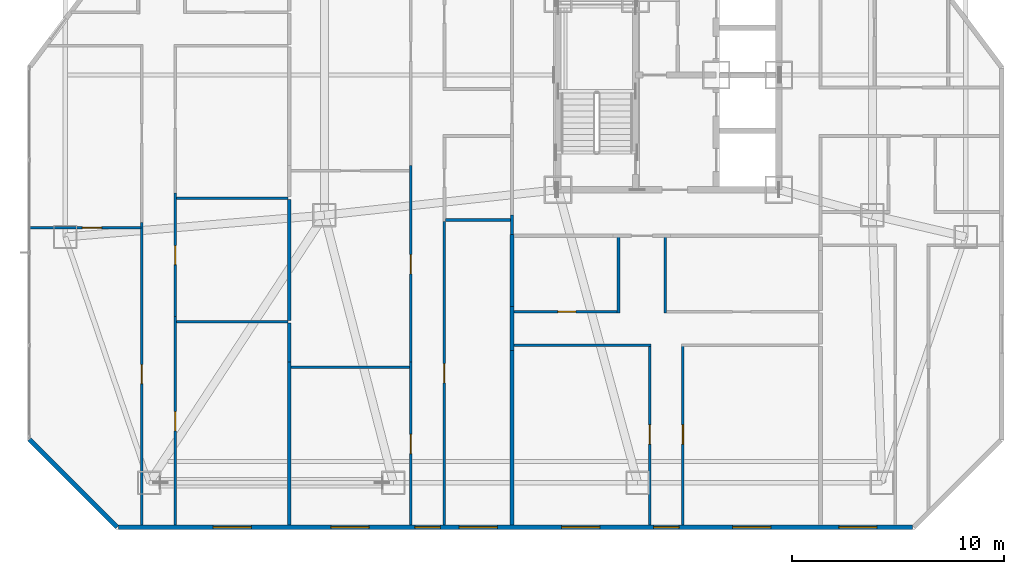
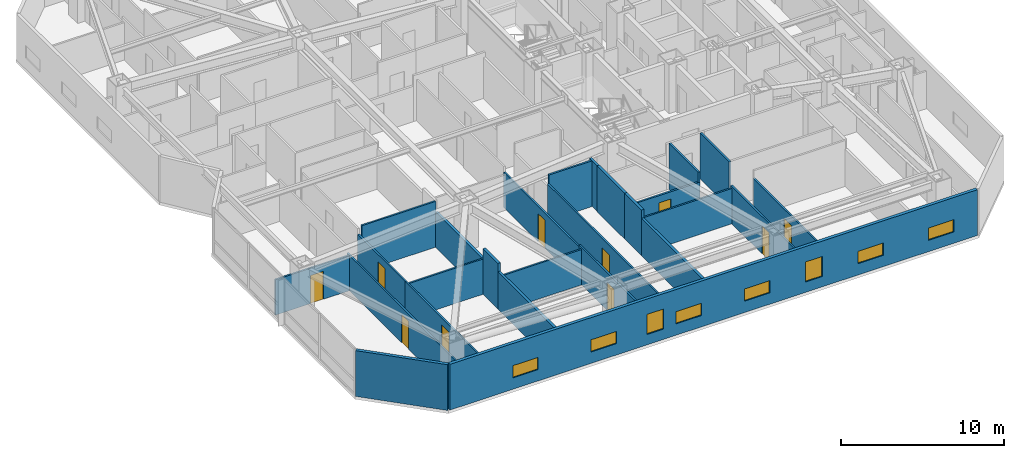
# One storey, part 11 of 18: 26 walls, 10 doors, 8 windows, 18 openings.
"""IFC4 building model written with IfcOpenShell, lengths in metres."""

from ifc_helpers import new_model, si_unit, direction, frame, frame_2d, origin, place, context, subcontext, project, spatial, rectangle, extrude, material, layer, layer_set, type_object, element, fill, save


model = new_model("IFC4")

# Units and contexts
model_context = context("Model", 3, precision=1e-05, world=origin(), true_north=direction((0.0, 1.0)))
body_context = subcontext(model_context, "Body", "Model", "MODEL_VIEW")
ifc_project = project(units=[si_unit("LENGTHUNIT", "METRE"), si_unit("AREAUNIT", "SQUARE_METRE"), si_unit("VOLUMEUNIT", "CUBIC_METRE"), si_unit("PLANEANGLEUNIT", "RADIAN"), si_unit("MASSUNIT", "GRAM", prefix="KILO")], contexts=[model_context])

# Site, building, storey
site_placement = place(None, origin())
site = spatial("IfcSite", under=ifc_project, at=site_placement, CompositionType="ELEMENT")
building_placement = place(site_placement, origin())
building = spatial("IfcBuilding", under=site, at=building_placement, Name="Khamvora Tower", CompositionType="ELEMENT")
storey_placement = place(building_placement, frame((0.0, 0.0, 47.89990234375)))
storey = spatial("IfcBuildingStorey", under=building, at=storey_placement, Name="L11", CompositionType="ELEMENT", Elevation=47.89990234375)

# Walls
ifc_material_1 = material(Name="Fire-Rated Drywall and Steel Stud", Category="steel")
ifc_layer_1 = layer(ifc_material_1, 0.14990234375)
ifc_layer_set_1 = layer_set([ifc_layer_1], Name="Fire-Rated Drywall and Steel Stud")
wall_type_1 = type_object("IfcWallType", Name="WAL-CORR-150", PredefinedType="STANDARD", material=ifc_layer_set_1)
wall_1_placement = place(storey_placement, frame((26.8349609375, 16.89990234375, 0.0), z_axis=(0.0, 0.0, 1.0), x_axis=(0.0, 1.0, 0.0)))
element("IfcWall", 1, at=wall_1_placement, inside=storey, type_object=wall_type_1, Name="L11 interior partition wall 009", PredefinedType="STANDARD", context=body_context, shape_type="SweptSolid", body=[
    extrude(rectangle(XDim=0.918212890625, YDim=0.14990234375, at=frame_2d((0.458984375, 0.0))), origin(), (0.0, 0.0, 1.0), 3.43017578125),
])
ifc_material_2 = material(Name="Acoustic Double-Stud Fire Wall", Category="gypsum")
ifc_layer_2 = layer(ifc_material_2, 0.179931640625)
ifc_layer_set_2 = layer_set([ifc_layer_2], Name="Acoustic Double-Stud Fire Wall")
wall_type_2 = type_object("IfcWallType", Name="WAL-CORR-180", PredefinedType="STANDARD", material=ifc_layer_set_2)
wall_2_placement = place(storey_placement, frame((16.345947265625, 10.882080078125, 0.0), z_axis=(0.0, 0.0, 1.0), x_axis=(0.0, -1.0, 0.0)))
element("IfcWall", 2, at=wall_2_placement, inside=storey, type_object=wall_type_2, Name="L11 interior partition wall 057", PredefinedType="STANDARD", context=body_context, shape_type="SweptSolid", body=[
    extrude(rectangle(XDim=7.670166015625, YDim=0.179931640625, at=frame_2d((3.8349609375, 0.0))), origin(), (0.0, 0.0, 1.0), 2.802978515625),
])
wall_3_placement = place(storey_placement, frame((16.345947265625, 12.714111328125, 0.0), z_axis=(0.0, 0.0, 1.0), x_axis=(0.0, -1.0, 0.0)))
element("IfcWall", 3, at=wall_3_placement, inside=storey, type_object=wall_type_2, Name="L11 interior partition wall 058", PredefinedType="STANDARD", context=body_context, shape_type="SweptSolid", body=[
    extrude(rectangle(XDim=1.83203125, YDim=0.179931640625, at=frame_2d((0.916015625, 0.0))), origin(), (0.0, 0.0, 1.0), 3.43017578125),
])
wall_4_placement = place(storey_placement, frame((16.345947265625, 18.5390625, 0.0), z_axis=(0.0, 0.0, 1.0), x_axis=(0.0, -1.0, 0.0)))
element("IfcWall", 4, at=wall_4_placement, inside=storey, type_object=wall_type_2, Name="L11 interior partition wall 060", PredefinedType="STANDARD", context=body_context, shape_type="SweptSolid", body=[
    extrude(rectangle(XDim=5.695068359375, YDim=0.179931640625, at=frame_2d((2.84765625, 0.0))), origin(), (0.0, 0.0, 1.0), 2.647216796875),
])
wall_5_placement = place(storey_placement, frame((26.8349609375, 13.50390625, 0.0), z_axis=(0.0, 0.0, 1.0), x_axis=(0.0, -1.0, 0.0)))
element("IfcWall", 5, at=wall_5_placement, inside=storey, type_object=wall_type_2, Name="L11 interior partition wall 065", PredefinedType="STANDARD", context=body_context, shape_type="SweptSolid", body=[
    extrude(rectangle(XDim=2.077880859375, YDim=0.179931640625, at=frame_2d((1.0390625, 0.0))), origin(), (0.0, 0.0, 1.0), 3.43017578125),
])
wall_6_placement = place(storey_placement, frame((26.8349609375, 16.89990234375, 0.0), z_axis=(0.0, 0.0, 1.0), x_axis=(0.0, -1.0, 0.0)))
element("IfcWall", 6, at=wall_6_placement, inside=storey, type_object=wall_type_2, Name="L11 interior partition wall 066", PredefinedType="STANDARD", context=body_context, shape_type="SweptSolid", body=[
    extrude(rectangle(XDim=3.39599609375, YDim=0.179931640625, at=frame_2d((1.697998046875, 0.0))), origin(), (0.0, 0.0, 1.0), 3.43017578125),
])
wall_7_placement = place(storey_placement, frame((26.8349609375, 11.426025390625, 0.0), z_axis=(0.0, 0.0, 1.0), x_axis=(0.0, -1.0, 0.0)))
element("IfcWall", 7, at=wall_7_placement, inside=storey, type_object=wall_type_2, Name="L11 interior partition wall 067", PredefinedType="STANDARD", context=body_context, shape_type="SweptSolid", body=[
    extrude(rectangle(XDim=8.214111328125, YDim=0.179931640625, at=frame_2d((4.10693359375, 0.0))), origin(), (0.0, 0.0, 1.0), 2.802978515625),
])
ifc_material_3 = material(Name="Precast concrete C40/50", Category="concrete")
ifc_layer_3 = layer(ifc_material_3, 0.219970703125)
ifc_layer_set_3 = layer_set([ifc_layer_3], Name="Precast concrete C40/50")
wall_type_3 = type_object("IfcWallType", Name="WAL-EXT-220", PredefinedType="STANDARD", material=ifc_layer_set_3)
wall_8_placement = place(storey_placement, frame((8.24609375, 3.110107421875, 0.0), z_axis=(0.0, 0.0, 1.0), x_axis=(-0.707106781187, 0.707106781187, 0.0)))
element("IfcWall", 8, at=wall_8_placement, inside=storey, type_object=wall_type_3, Name="L11 exterior facade wall 01.1", PredefinedType="STANDARD", context=body_context, shape_type="SweptSolid", body=[
    extrude(rectangle(XDim=5.84912109375, YDim=0.219970703125, at=frame_2d((2.924560546875, 0.0))), origin(), (0.0, 0.0, 1.0), 3.43017578125),
])

# Wall, openings, windows
wall_9_placement = place(storey_placement, frame((45.68310546875, 3.110107421875, 0.0), z_axis=(0.0, 0.0, 1.0), x_axis=(-1.0, 0.0, 0.0)))
wall_9 = element("IfcWall", 9, at=wall_9_placement, inside=storey, type_object=wall_type_3, Name="L11 exterior facade wall 14.1", PredefinedType="STANDARD", context=body_context, shape_type="SweptSolid", body=[
    extrude(rectangle(XDim=37.3681640625, YDim=0.219970703125, at=frame_2d((18.68408203125, 0.0))), origin(), (0.0, 0.0, 1.0), 3.43017578125),
])
opening_1_placement = place(wall_9_placement, frame((31.118896484375, 0.0, 0.85009765625)))
opening_1 = element("IfcOpeningElement", 10, at=opening_1_placement, cuts=wall_9, Name="Opening WN-09", PredefinedType="OPENING", context=body_context, shape_type="SweptSolid", body=[
    extrude(rectangle(XDim=1.800048828125, YDim=0.919921875, at=frame_2d((0.89990234375, 0.4599609375))), frame((0.0, 0.119873046875, 0.0), z_axis=(0.0, -1.0, 0.0), x_axis=(1.0, 0.0, 0.0)), (0.0, 0.0, 1.0), 0.239990234375),
])
opening_2_placement = place(wall_9_placement, frame((19.5400390625, 0.0, 0.85009765625)))
opening_2 = element("IfcOpeningElement", 11, at=opening_2_placement, cuts=wall_9, Name="Opening WN-09", PredefinedType="OPENING", context=body_context, shape_type="SweptSolid", body=[
    extrude(rectangle(XDim=1.800048828125, YDim=0.919921875, at=frame_2d((0.89990234375, 0.4599609375))), frame((0.0, 0.119873046875, 0.0), z_axis=(0.0, -1.0, 0.0), x_axis=(1.0, 0.0, 0.0)), (0.0, 0.0, 1.0), 0.239990234375),
])
opening_3_placement = place(wall_9_placement, frame((22.222900390625, 0.0, 0.780029296875)))
opening_3 = element("IfcOpeningElement", 12, at=opening_3_placement, cuts=wall_9, Name="Opening WN-03", PredefinedType="OPENING", context=body_context, shape_type="SweptSolid", body=[
    extrude(rectangle(XDim=1.199951171875, YDim=1.5, at=frame_2d((0.60009765625, 0.75))), frame((0.0, 0.119873046875, 0.0), z_axis=(0.0, -1.0, 0.0), x_axis=(1.0, 0.0, 0.0)), (0.0, 0.0, 1.0), 0.239990234375),
])
opening_4_placement = place(wall_9_placement, frame((25.574951171875, 0.0, 0.85009765625)))
opening_4 = element("IfcOpeningElement", 13, at=opening_4_placement, cuts=wall_9, Name="Opening WN-09", PredefinedType="OPENING", context=body_context, shape_type="SweptSolid", body=[
    extrude(rectangle(XDim=1.800048828125, YDim=0.919921875, at=frame_2d((0.89990234375, 0.4599609375))), frame((0.0, 0.119873046875, 0.0), z_axis=(0.0, -1.0, 0.0), x_axis=(1.0, 0.0, 0.0)), (0.0, 0.0, 1.0), 0.239990234375),
])
opening_5_placement = place(wall_9_placement, frame((10.98291015625, 0.0, 0.780029296875)))
opening_5 = element("IfcOpeningElement", 14, at=opening_5_placement, cuts=wall_9, Name="Opening WN-03", PredefinedType="OPENING", context=body_context, shape_type="SweptSolid", body=[
    extrude(rectangle(XDim=1.199951171875, YDim=1.5, at=frame_2d((0.60009765625, 0.75))), frame((0.0, 0.119873046875, 0.0), z_axis=(0.0, -1.0, 0.0), x_axis=(1.0, 0.0, 0.0)), (0.0, 0.0, 1.0), 0.239990234375),
])
opening_6_placement = place(wall_9_placement, frame((14.7080078125, 0.0, 0.85009765625)))
opening_6 = element("IfcOpeningElement", 15, at=opening_6_placement, cuts=wall_9, Name="Opening WN-09", PredefinedType="OPENING", context=body_context, shape_type="SweptSolid", body=[
    extrude(rectangle(XDim=1.800048828125, YDim=0.919921875, at=frame_2d((0.89990234375, 0.4599609375))), frame((0.0, 0.119873046875, 0.0), z_axis=(0.0, -1.0, 0.0), x_axis=(1.0, 0.0, 0.0)), (0.0, 0.0, 1.0), 0.239990234375),
])
opening_7_placement = place(wall_9_placement, frame((6.657958984375, 0.0, 0.85009765625)))
opening_7 = element("IfcOpeningElement", 16, at=opening_7_placement, cuts=wall_9, Name="Opening WN-09", PredefinedType="OPENING", context=body_context, shape_type="SweptSolid", body=[
    extrude(rectangle(XDim=1.800048828125, YDim=0.919921875, at=frame_2d((0.89990234375, 0.4599609375))), frame((0.0, 0.119873046875, 0.0), z_axis=(0.0, -1.0, 0.0), x_axis=(1.0, 0.0, 0.0)), (0.0, 0.0, 1.0), 0.239990234375),
])
opening_8_placement = place(wall_9_placement, frame((1.6630859375, 0.0, 0.85009765625)))
opening_8 = element("IfcOpeningElement", 17, at=opening_8_placement, cuts=wall_9, Name="Opening WN-09", PredefinedType="OPENING", context=body_context, shape_type="SweptSolid", body=[
    extrude(rectangle(XDim=1.800048828125, YDim=0.919921875, at=frame_2d((0.89990234375, 0.4599609375))), frame((0.0, 0.119873046875, 0.0), z_axis=(0.0, -1.0, 0.0), x_axis=(1.0, 0.0, 0.0)), (0.0, 0.0, 1.0), 0.239990234375),
])
ifc_material_4 = material(Name="Low-E Laminated Double Glazing", Category="glass")
window_type_1 = type_object("IfcWindowType", Name="WIN-CLR-1800x920", PartitioningType="SINGLE_PANEL", PredefinedType="WINDOW", material=ifc_material_4)
window_1_placement = place(opening_1_placement, origin())
window_1 = element("IfcWindow", 18, at=window_1_placement, inside=storey, type_object=window_type_1, Name="L11 vision window 14.1.01", OverallHeight=0.919921875, OverallWidth=1.800048828125, PartitioningType="SINGLE_PANEL", PredefinedType="WINDOW", context=body_context, shape_type="SweptSolid", body=[
    extrude(rectangle(XDim=1.800048828125, YDim=0.919921875, at=frame_2d((0.89990234375, 0.4599609375))), frame((0.0, 0.030029296875, 0.0), z_axis=(0.0, -1.0, 0.0), x_axis=(1.0, 0.0, 0.0)), (0.0, 0.0, 1.0), 0.06005859375),
])
fill(opening_1, window_1)
window_2_placement = place(opening_2_placement, origin())
window_2 = element("IfcWindow", 19, at=window_2_placement, inside=storey, type_object=window_type_1, Name="L11 vision window 14.1.02", OverallHeight=0.919921875, OverallWidth=1.800048828125, PartitioningType="SINGLE_PANEL", PredefinedType="WINDOW", context=body_context, shape_type="SweptSolid", body=[
    extrude(rectangle(XDim=1.800048828125, YDim=0.919921875, at=frame_2d((0.89990234375, 0.4599609375))), frame((0.0, 0.030029296875, 0.0), z_axis=(0.0, -1.0, 0.0), x_axis=(1.0, 0.0, 0.0)), (0.0, 0.0, 1.0), 0.06005859375),
])
fill(opening_2, window_2)
window_3_placement = place(opening_4_placement, origin())
window_3 = element("IfcWindow", 20, at=window_3_placement, inside=storey, type_object=window_type_1, Name="L11 vision window 14.1.04", OverallHeight=0.919921875, OverallWidth=1.800048828125, PartitioningType="SINGLE_PANEL", PredefinedType="WINDOW", context=body_context, shape_type="SweptSolid", body=[
    extrude(rectangle(XDim=1.800048828125, YDim=0.919921875, at=frame_2d((0.89990234375, 0.4599609375))), frame((0.0, 0.030029296875, 0.0), z_axis=(0.0, -1.0, 0.0), x_axis=(1.0, 0.0, 0.0)), (0.0, 0.0, 1.0), 0.06005859375),
])
fill(opening_4, window_3)
window_4_placement = place(opening_6_placement, origin())
window_4 = element("IfcWindow", 21, at=window_4_placement, inside=storey, type_object=window_type_1, Name="L11 vision window 14.1.06", OverallHeight=0.919921875, OverallWidth=1.800048828125, PartitioningType="SINGLE_PANEL", PredefinedType="WINDOW", context=body_context, shape_type="SweptSolid", body=[
    extrude(rectangle(XDim=1.800048828125, YDim=0.919921875, at=frame_2d((0.89990234375, 0.4599609375))), frame((0.0, 0.030029296875, 0.0), z_axis=(0.0, -1.0, 0.0), x_axis=(1.0, 0.0, 0.0)), (0.0, 0.0, 1.0), 0.06005859375),
])
fill(opening_6, window_4)
window_5_placement = place(opening_7_placement, origin())
window_5 = element("IfcWindow", 22, at=window_5_placement, inside=storey, type_object=window_type_1, Name="L11 vision window 14.1.07", OverallHeight=0.919921875, OverallWidth=1.800048828125, PartitioningType="SINGLE_PANEL", PredefinedType="WINDOW", context=body_context, shape_type="SweptSolid", body=[
    extrude(rectangle(XDim=1.800048828125, YDim=0.919921875, at=frame_2d((0.89990234375, 0.4599609375))), frame((0.0, 0.030029296875, 0.0), z_axis=(0.0, -1.0, 0.0), x_axis=(1.0, 0.0, 0.0)), (0.0, 0.0, 1.0), 0.06005859375),
])
fill(opening_7, window_5)
window_6_placement = place(opening_8_placement, origin())
window_6 = element("IfcWindow", 23, at=window_6_placement, inside=storey, type_object=window_type_1, Name="L11 vision window 14.1.08", OverallHeight=0.919921875, OverallWidth=1.800048828125, PartitioningType="SINGLE_PANEL", PredefinedType="WINDOW", context=body_context, shape_type="SweptSolid", body=[
    extrude(rectangle(XDim=1.800048828125, YDim=0.919921875, at=frame_2d((0.89990234375, 0.4599609375))), frame((0.0, 0.030029296875, 0.0), z_axis=(0.0, -1.0, 0.0), x_axis=(1.0, 0.0, 0.0)), (0.0, 0.0, 1.0), 0.06005859375),
])
fill(opening_8, window_6)
window_type_2 = type_object("IfcWindowType", Name="WIN-VIS-1200x1500", PartitioningType="SINGLE_PANEL", PredefinedType="WINDOW", material=ifc_material_4)
window_7_placement = place(opening_3_placement, origin())
window_7 = element("IfcWindow", 24, at=window_7_placement, inside=storey, type_object=window_type_2, Name="L11 vision window 14.1.03", OverallHeight=1.5, OverallWidth=1.199951171875, PartitioningType="SINGLE_PANEL", PredefinedType="WINDOW", context=body_context, shape_type="SweptSolid", body=[
    extrude(rectangle(XDim=1.199951171875, YDim=1.5, at=frame_2d((0.60009765625, 0.75))), frame((0.0, 0.030029296875, 0.0), z_axis=(0.0, -1.0, 0.0), x_axis=(1.0, 0.0, 0.0)), (0.0, 0.0, 1.0), 0.06005859375),
])
fill(opening_3, window_7)
window_8_placement = place(opening_5_placement, origin())
window_8 = element("IfcWindow", 25, at=window_8_placement, inside=storey, type_object=window_type_2, Name="L11 vision window 14.1.05", OverallHeight=1.5, OverallWidth=1.199951171875, PartitioningType="SINGLE_PANEL", PredefinedType="WINDOW", context=body_context, shape_type="SweptSolid", body=[
    extrude(rectangle(XDim=1.199951171875, YDim=1.5, at=frame_2d((0.60009765625, 0.75))), frame((0.0, 0.030029296875, 0.0), z_axis=(0.0, -1.0, 0.0), x_axis=(1.0, 0.0, 0.0)), (0.0, 0.0, 1.0), 0.06005859375),
])
fill(opening_5, window_8)

# Wall, opening, door
ifc_material_5 = material(Name="Gypsum Plasterboard Partition", Category="gypsum")
ifc_layer_4 = layer(ifc_material_5, 0.1201171875)
ifc_layer_set_4 = layer_set([ifc_layer_4], Name="Gypsum Plasterboard Partition")
wall_type_4 = type_object("IfcWallType", Name="WAL-PART-120", PredefinedType="PARTITIONING", material=ifc_layer_set_4)
wall_10_placement = place(storey_placement, frame((9.410888671875, 3.2119140625, 0.0), z_axis=(0.0, 0.0, 1.0), x_axis=(0.0, 1.0, 0.0)))
wall_10 = element("IfcWall", 26, at=wall_10_placement, inside=storey, type_object=wall_type_4, Name="L11 interior partition wall 046", PredefinedType="PARTITIONING", context=body_context, shape_type="SweptSolid", body=[
    extrude(rectangle(XDim=14.2509765625, YDim=0.1201171875, at=frame_2d((7.12548828125, 0.0))), origin(), (0.0, 0.0, 1.0), 2.647216796875),
])
opening_9_placement = place(wall_10_placement, frame((6.654052734375, 0.0, 0.0)))
opening_9 = element("IfcOpeningElement", 27, at=opening_9_placement, cuts=wall_10, Name="Opening D-RM1", PredefinedType="OPENING", context=body_context, shape_type="SweptSolid", body=[
    extrude(rectangle(XDim=0.89990234375, YDim=2.10009765625, at=frame_2d((0.449951171875, 1.050048828125))), frame((0.0, 0.070068359375, 0.0), z_axis=(0.0, -1.0, 0.0), x_axis=(1.0, 0.0, 0.0)), (0.0, 0.0, 1.0), 0.14013671875),
])
ifc_material_6 = material(Name="Powder-Coated Steel and Hardwood Leaf", Category="steel")
door_type_1 = type_object("IfcDoorType", Name="DOR-ROOM-900", OperationType="NOTDEFINED", PredefinedType="DOOR", material=ifc_material_6)
door_1_placement = place(opening_9_placement, origin())
door_1 = element("IfcDoor", 28, at=door_1_placement, inside=storey, type_object=door_type_1, Name="L11 interior door 11WA1H-11WA1R1", OperationType="SINGLE_SWING_LEFT", OverallHeight=2.10009765625, OverallWidth=0.89990234375, PredefinedType="DOOR", context=body_context, shape_type="SweptSolid", body=[
    extrude(rectangle(XDim=0.89990234375, YDim=2.10009765625, at=frame_2d((0.449951171875, 1.050048828125))), frame((0.0, 0.02490234375, 0.0), z_axis=(0.0, -1.0, 0.0), x_axis=(1.0, 0.0, 0.0)), (0.0, 0.0, 1.0), 0.050048828125),
])
fill(opening_9, door_1)

wall_11_placement = place(storey_placement, frame((10.98095703125, 13.028076171875, 0.0), z_axis=(0.0, 0.0, 1.0), x_axis=(0.0, -1.0, 0.0)))
wall_11 = element("IfcWall", 29, at=wall_11_placement, inside=storey, type_object=wall_type_4, Name="L11 interior partition wall 049", PredefinedType="PARTITIONING", context=body_context, shape_type="SweptSolid", body=[
    extrude(rectangle(XDim=9.816162109375, YDim=0.1201171875, at=frame_2d((4.908203125, 0.0))), origin(), (0.0, 0.0, 1.0), 2.647216796875),
])
opening_10_placement = place(wall_11_placement, frame((4.47900390625, 0.0, 0.0)))
opening_10 = element("IfcOpeningElement", 30, at=opening_10_placement, cuts=wall_11, Name="Opening D-RM1", PredefinedType="OPENING", context=body_context, shape_type="SweptSolid", body=[
    extrude(rectangle(XDim=0.89990234375, YDim=2.10009765625, at=frame_2d((0.449951171875, 1.050048828125))), frame((0.0, 0.070068359375, 0.0), z_axis=(0.0, -1.0, 0.0), x_axis=(1.0, 0.0, 0.0)), (0.0, 0.0, 1.0), 0.14013671875),
])
door_2_placement = place(opening_10_placement, origin())
door_2 = element("IfcDoor", 31, at=door_2_placement, inside=storey, type_object=door_type_1, Name="L11 interior door 11WA1H-11WA1R3", OperationType="SINGLE_SWING_LEFT", OverallHeight=2.10009765625, OverallWidth=0.89990234375, PredefinedType="DOOR", context=body_context, shape_type="SweptSolid", body=[
    extrude(rectangle(XDim=0.89990234375, YDim=2.10009765625, at=frame_2d((0.449951171875, 1.050048828125))), frame((0.0, 0.02490234375, 0.0), z_axis=(0.0, -1.0, 0.0), x_axis=(1.0, 0.0, 0.0)), (0.0, 0.0, 1.0), 0.050048828125),
])
fill(opening_10, door_2)

wall_12_placement = place(storey_placement, frame((10.98095703125, 18.85302734375, 0.0), z_axis=(0.0, 0.0, 1.0), x_axis=(0.0, -1.0, 0.0)))
wall_12 = element("IfcWall", 32, at=wall_12_placement, inside=storey, type_object=wall_type_4, Name="L11 interior partition wall 050", PredefinedType="PARTITIONING", context=body_context, shape_type="SweptSolid", body=[
    extrude(rectangle(XDim=5.824951171875, YDim=0.1201171875, at=frame_2d((2.91259765625, 0.0))), origin(), (0.0, 0.0, 1.0), 2.647216796875),
])
opening_11_placement = place(wall_12_placement, frame((2.48291015625, 0.0, 0.0)))
opening_11 = element("IfcOpeningElement", 33, at=opening_11_placement, cuts=wall_12, Name="Opening D-RM1", PredefinedType="OPENING", context=body_context, shape_type="SweptSolid", body=[
    extrude(rectangle(XDim=0.89990234375, YDim=2.10009765625, at=frame_2d((0.449951171875, 1.050048828125))), frame((0.0, 0.070068359375, 0.0), z_axis=(0.0, -1.0, 0.0), x_axis=(1.0, 0.0, 0.0)), (0.0, 0.0, 1.0), 0.14013671875),
])
door_3_placement = place(opening_11_placement, origin())
door_3 = element("IfcDoor", 34, at=door_3_placement, inside=storey, type_object=door_type_1, Name="L11 interior door 11WA1H-11WA1R4", OperationType="SINGLE_SWING_RIGHT", OverallHeight=2.10009765625, OverallWidth=0.89990234375, PredefinedType="DOOR", context=body_context, shape_type="SweptSolid", body=[
    extrude(rectangle(XDim=0.89990234375, YDim=2.10009765625, at=frame_2d((0.449951171875, 1.050048828125))), frame((0.0, 0.02490234375, 0.0), z_axis=(0.0, -1.0, 0.0), x_axis=(1.0, 0.0, 0.0)), (0.0, 0.0, 1.0), 0.050048828125),
])
fill(opening_11, door_3)

wall_13_placement = place(storey_placement, frame((4.110107421875, 17.214111328125, 0.0), z_axis=(0.0, 0.0, 1.0), x_axis=(1.0, 0.0, 0.0)))
wall_13 = element("IfcWall", 35, at=wall_13_placement, inside=storey, type_object=wall_type_4, Name="L11 interior partition wall 055", PredefinedType="PARTITIONING", context=body_context, shape_type="SweptSolid", body=[
    extrude(rectangle(XDim=5.246826171875, YDim=0.1201171875, at=frame_2d((2.62353515625, 0.0))), origin(), (0.0, 0.0, 1.0), 2.647216796875),
])
opening_12_placement = place(wall_13_placement, frame((2.498046875, 0.0, 0.0)))
opening_12 = element("IfcOpeningElement", 36, at=opening_12_placement, cuts=wall_13, Name="Opening D-RM1", PredefinedType="OPENING", context=body_context, shape_type="SweptSolid", body=[
    extrude(rectangle(XDim=0.89990234375, YDim=2.10009765625, at=frame_2d((0.449951171875, 1.050048828125))), frame((0.0, 0.070068359375, 0.0), z_axis=(0.0, -1.0, 0.0), x_axis=(1.0, 0.0, 0.0)), (0.0, 0.0, 1.0), 0.14013671875),
])
door_4_placement = place(opening_12_placement, origin())
door_4 = element("IfcDoor", 37, at=door_4_placement, inside=storey, type_object=door_type_1, Name="L11 interior door 11WA1R1-11WA1R2", OperationType="SINGLE_SWING_RIGHT", OverallHeight=2.10009765625, OverallWidth=0.89990234375, PredefinedType="DOOR", context=body_context, shape_type="SweptSolid", body=[
    extrude(rectangle(XDim=0.89990234375, YDim=2.10009765625, at=frame_2d((0.449951171875, 1.050048828125))), frame((0.0, 0.02490234375, 0.0), z_axis=(0.0, -1.0, 0.0), x_axis=(1.0, 0.0, 0.0)), (0.0, 0.0, 1.0), 0.050048828125),
])
fill(opening_12, door_4)

# Walls
wall_14_placement = place(storey_placement, frame((11.034912109375, 12.779052734375, 0.0), z_axis=(0.0, 0.0, 1.0), x_axis=(1.0, 0.0, 0.0)))
element("IfcWall", 38, at=wall_14_placement, inside=storey, type_object=wall_type_4, Name="L11 interior partition wall 056", PredefinedType="PARTITIONING", context=body_context, shape_type="SweptSolid", body=[
    extrude(rectangle(XDim=5.24609375, YDim=0.1201171875, at=frame_2d((2.623046875, 0.0))), origin(), (0.0, 0.0, 1.0), 2.647216796875),
])
wall_15_placement = place(storey_placement, frame((11.034912109375, 18.60400390625, 0.0), z_axis=(0.0, 0.0, 1.0), x_axis=(1.0, 0.0, 0.0)))
element("IfcWall", 39, at=wall_15_placement, inside=storey, type_object=wall_type_4, Name="L11 interior partition wall 059", PredefinedType="PARTITIONING", context=body_context, shape_type="SweptSolid", body=[
    extrude(rectangle(XDim=5.24609375, YDim=0.1201171875, at=frame_2d((2.623046875, 0.0))), origin(), (0.0, 0.0, 1.0), 3.43017578125),
])

# Wall, opening, door
wall_16_placement = place(storey_placement, frame((23.64990234375, 3.2119140625, 0.0), z_axis=(0.0, 0.0, 1.0), x_axis=(0.0, 1.0, 0.0)))
wall_16 = element("IfcWall", 40, at=wall_16_placement, inside=storey, type_object=wall_type_4, Name="L11 interior partition wall 063", PredefinedType="PARTITIONING", context=body_context, shape_type="SweptSolid", body=[
    extrude(rectangle(XDim=14.2919921875, YDim=0.1201171875, at=frame_2d((7.14599609375, 0.0))), origin(), (0.0, 0.0, 1.0), 2.802978515625),
])
opening_13_placement = place(wall_16_placement, frame((6.696044921875, 0.0, 0.0)))
opening_13 = element("IfcOpeningElement", 41, at=opening_13_placement, cuts=wall_16, Name="Opening D-RM1", PredefinedType="OPENING", context=body_context, shape_type="SweptSolid", body=[
    extrude(rectangle(XDim=0.89990234375, YDim=2.10009765625, at=frame_2d((0.449951171875, 1.050048828125))), frame((0.0, 0.070068359375, 0.0), z_axis=(0.0, -1.0, 0.0), x_axis=(1.0, 0.0, 0.0)), (0.0, 0.0, 1.0), 0.14013671875),
])
door_5_placement = place(opening_13_placement, origin())
door_5 = element("IfcDoor", 42, at=door_5_placement, inside=storey, type_object=door_type_1, Name="L11 interior door 11WA2W1-11WA2H", OperationType="SINGLE_SWING_LEFT", OverallHeight=2.10009765625, OverallWidth=0.89990234375, PredefinedType="DOOR", context=body_context, shape_type="SweptSolid", body=[
    extrude(rectangle(XDim=0.89990234375, YDim=2.10009765625, at=frame_2d((0.449951171875, 1.050048828125))), frame((0.0, 0.02490234375, 0.0), z_axis=(0.0, -1.0, 0.0), x_axis=(1.0, 0.0, 0.0)), (0.0, 0.0, 1.0), 0.050048828125),
])
fill(opening_13, door_5)

wall_17_placement = place(storey_placement, frame((22.070068359375, 3.2119140625, 0.0), z_axis=(0.0, 0.0, 1.0), x_axis=(0.0, 1.0, 0.0)))
wall_17 = element("IfcWall", 43, at=wall_17_placement, inside=storey, type_object=wall_type_4, Name="L11 interior partition wall 072", PredefinedType="PARTITIONING", context=body_context, shape_type="SweptSolid", body=[
    extrude(rectangle(XDim=7.670166015625, YDim=0.1201171875, at=frame_2d((3.8349609375, 0.0))), origin(), (0.0, 0.0, 1.0), 2.802978515625),
])
opening_14_placement = place(wall_17_placement, frame((3.364013671875, 0.0, 0.0)))
opening_14 = element("IfcOpeningElement", 44, at=opening_14_placement, cuts=wall_17, Name="Opening D-RM1", PredefinedType="OPENING", context=body_context, shape_type="SweptSolid", body=[
    extrude(rectangle(XDim=0.89990234375, YDim=2.10009765625, at=frame_2d((0.449951171875, 1.050048828125))), frame((0.0, 0.070068359375, 0.0), z_axis=(0.0, -1.0, 0.0), x_axis=(1.0, 0.0, 0.0)), (0.0, 0.0, 1.0), 0.14013671875),
])
door_6_placement = place(opening_14_placement, origin())
door_6 = element("IfcDoor", 45, at=door_6_placement, inside=storey, type_object=door_type_1, Name="L11 interior door 11WA2H-11WA2R1", OperationType="SINGLE_SWING_RIGHT", OverallHeight=2.10009765625, OverallWidth=0.89990234375, PredefinedType="DOOR", context=body_context, shape_type="SweptSolid", body=[
    extrude(rectangle(XDim=0.89990234375, YDim=2.10009765625, at=frame_2d((0.449951171875, 1.050048828125))), frame((0.0, 0.02490234375, 0.0), z_axis=(0.0, -1.0, 0.0), x_axis=(1.0, 0.0, 0.0)), (0.0, 0.0, 1.0), 0.050048828125),
])
fill(opening_14, door_6)

wall_18_placement = place(storey_placement, frame((22.070068359375, 10.882080078125, 0.0), z_axis=(0.0, 0.0, 1.0), x_axis=(0.0, 1.0, 0.0)))
wall_18 = element("IfcWall", 46, at=wall_18_placement, inside=storey, type_object=wall_type_4, Name="L11 interior partition wall 073", PredefinedType="PARTITIONING", context=body_context, shape_type="SweptSolid", body=[
    extrude(rectangle(XDim=9.25390625, YDim=0.1201171875, at=frame_2d((4.626953125, 0.0))), origin(), (0.0, 0.0, 1.0), 2.647216796875),
])
opening_15_placement = place(wall_18_placement, frame((4.156005859375, 0.0, 0.0)))
opening_15 = element("IfcOpeningElement", 47, at=opening_15_placement, cuts=wall_18, Name="Opening D-RM1", PredefinedType="OPENING", context=body_context, shape_type="SweptSolid", body=[
    extrude(rectangle(XDim=0.89990234375, YDim=2.10009765625, at=frame_2d((0.449951171875, 1.050048828125))), frame((0.0, 0.070068359375, 0.0), z_axis=(0.0, -1.0, 0.0), x_axis=(1.0, 0.0, 0.0)), (0.0, 0.0, 1.0), 0.14013671875),
])
door_7_placement = place(opening_15_placement, origin())
door_7 = element("IfcDoor", 48, at=door_7_placement, inside=storey, type_object=door_type_1, Name="L11 interior door 11WA2H-11WA2R2", OperationType="SINGLE_SWING_LEFT", OverallHeight=2.10009765625, OverallWidth=0.89990234375, PredefinedType="DOOR", context=body_context, shape_type="SweptSolid", body=[
    extrude(rectangle(XDim=0.89990234375, YDim=2.10009765625, at=frame_2d((0.449951171875, 1.050048828125))), frame((0.0, 0.02490234375, 0.0), z_axis=(0.0, -1.0, 0.0), x_axis=(1.0, 0.0, 0.0)), (0.0, 0.0, 1.0), 0.050048828125),
])
fill(opening_15, door_7)

# Wall
wall_19_placement = place(storey_placement, frame((16.427978515625, 10.633056640625, 0.0), z_axis=(0.0, 0.0, 1.0), x_axis=(1.0, 0.0, 0.0)))
element("IfcWall", 49, at=wall_19_placement, inside=storey, type_object=wall_type_4, Name="L11 interior partition wall 075", PredefinedType="PARTITIONING", context=body_context, shape_type="SweptSolid", body=[
    extrude(rectangle(XDim=5.588134765625, YDim=0.1201171875, at=frame_2d((2.7939453125, 0.0))), origin(), (0.0, 0.0, 1.0), 2.647216796875),
])

# Wall, opening, door
wall_20_placement = place(storey_placement, frame((33.31494140625, 3.2119140625, 0.0), z_axis=(0.0, 0.0, 1.0), x_axis=(0.0, 1.0, 0.0)))
wall_20 = element("IfcWall", 50, at=wall_20_placement, inside=storey, type_object=wall_type_4, Name="L11 interior partition wall 108", PredefinedType="PARTITIONING", context=body_context, shape_type="SweptSolid", body=[
    extrude(rectangle(XDim=8.528076171875, YDim=0.1201171875, at=frame_2d((4.26416015625, 0.0))), origin(), (0.0, 0.0, 1.0), 2.802978515625),
])
opening_16_placement = place(wall_20_placement, frame((3.81396484375, 0.0, 0.0)))
opening_16 = element("IfcOpeningElement", 51, at=opening_16_placement, cuts=wall_20, Name="Opening D-RM1", PredefinedType="OPENING", context=body_context, shape_type="SweptSolid", body=[
    extrude(rectangle(XDim=0.89990234375, YDim=2.10009765625, at=frame_2d((0.449951171875, 1.050048828125))), frame((0.0, 0.070068359375, 0.0), z_axis=(0.0, -1.0, 0.0), x_axis=(1.0, 0.0, 0.0)), (0.0, 0.0, 1.0), 0.14013671875),
])
door_8_placement = place(opening_16_placement, origin())
door_8 = element("IfcDoor", 52, at=door_8_placement, inside=storey, type_object=door_type_1, Name="L11 interior door 11SAH-11SAR1", OperationType="SINGLE_SWING_RIGHT", OverallHeight=2.10009765625, OverallWidth=0.89990234375, PredefinedType="DOOR", context=body_context, shape_type="SweptSolid", body=[
    extrude(rectangle(XDim=0.89990234375, YDim=2.10009765625, at=frame_2d((0.449951171875, 1.050048828125))), frame((0.0, 0.02490234375, 0.0), z_axis=(0.0, -1.0, 0.0), x_axis=(1.0, 0.0, 0.0)), (0.0, 0.0, 1.0), 0.050048828125),
])
fill(opening_16, door_8)

# Wall
wall_21_placement = place(storey_placement, frame((33.3798828125, 11.675048828125, 0.0), z_axis=(0.0, 0.0, 1.0), x_axis=(-1.0, 0.0, 0.0)))
element("IfcWall", 53, at=wall_21_placement, inside=storey, type_object=wall_type_4, Name="L11 interior partition wall 109", PredefinedType="PARTITIONING", context=body_context, shape_type="SweptSolid", body=[
    extrude(rectangle(XDim=6.462890625, YDim=0.1201171875, at=frame_2d((3.2314453125, 0.0))), origin(), (0.0, 0.0, 1.0), 2.647216796875),
])

# Wall, opening, door
wall_22_placement = place(storey_placement, frame((34.885009765625, 11.739990234375, 0.0), z_axis=(0.0, 0.0, 1.0), x_axis=(0.0, -1.0, 0.0)))
wall_22 = element("IfcWall", 54, at=wall_22_placement, inside=storey, type_object=wall_type_4, Name="L11 interior partition wall 111", PredefinedType="PARTITIONING", context=body_context, shape_type="SweptSolid", body=[
    extrude(rectangle(XDim=8.528076171875, YDim=0.1201171875, at=frame_2d((4.26416015625, 0.0))), origin(), (0.0, 0.0, 1.0), 2.802978515625),
])
opening_17_placement = place(wall_22_placement, frame((3.81396484375, 0.0, 0.0)))
opening_17 = element("IfcOpeningElement", 55, at=opening_17_placement, cuts=wall_22, Name="Opening D-RM1", PredefinedType="OPENING", context=body_context, shape_type="SweptSolid", body=[
    extrude(rectangle(XDim=0.89990234375, YDim=2.10009765625, at=frame_2d((0.449951171875, 1.050048828125))), frame((0.0, 0.070068359375, 0.0), z_axis=(0.0, -1.0, 0.0), x_axis=(1.0, 0.0, 0.0)), (0.0, 0.0, 1.0), 0.14013671875),
])
door_9_placement = place(opening_17_placement, origin())
door_9 = element("IfcDoor", 56, at=door_9_placement, inside=storey, type_object=door_type_1, Name="L11 interior door 11SAH-11SAR2", OperationType="SINGLE_SWING_LEFT", OverallHeight=2.10009765625, OverallWidth=0.89990234375, PredefinedType="DOOR", context=body_context, shape_type="SweptSolid", body=[
    extrude(rectangle(XDim=0.89990234375, YDim=2.10009765625, at=frame_2d((0.449951171875, 1.050048828125))), frame((0.0, 0.02490234375, 0.0), z_axis=(0.0, -1.0, 0.0), x_axis=(1.0, 0.0, 0.0)), (0.0, 0.0, 1.0), 0.050048828125),
])
fill(opening_17, door_9)

# Wall
ifc_material_7 = material(Name="Moisture-Resistant Plasterboard Partition", Category="gypsum")
ifc_layer_5 = layer(ifc_material_7, 0.135009765625)
ifc_layer_set_5 = layer_set([ifc_layer_5], Name="Moisture-Resistant Plasterboard Partition")
wall_type_5 = type_object("IfcWallType", Name="WAL-WET-135", PredefinedType="PARTITIONING", material=ifc_layer_set_5)
wall_23_placement = place(storey_placement, frame((23.715087890625, 17.569091796875, 0.0), z_axis=(0.0, 0.0, 1.0), x_axis=(1.0, 0.0, 0.0)))
element("IfcWall", 57, at=wall_23_placement, inside=storey, type_object=wall_type_5, Name="L11 interior partition wall 064", PredefinedType="PARTITIONING", context=body_context, shape_type="SweptSolid", body=[
    extrude(rectangle(XDim=3.054931640625, YDim=0.135009765625, at=frame_2d((1.52734375, 0.0))), origin(), (0.0, 0.0, 1.0), 3.43017578125),
])

# Wall, opening, door
wall_24_placement = place(storey_placement, frame((26.9169921875, 13.2548828125, 0.0), z_axis=(0.0, 0.0, 1.0), x_axis=(1.0, 0.0, 0.0)))
wall_24 = element("IfcWall", 58, at=wall_24_placement, inside=storey, type_object=wall_type_5, Name="L11 interior partition wall 104", PredefinedType="PARTITIONING", context=body_context, shape_type="SweptSolid", body=[
    extrude(rectangle(XDim=4.998046875, YDim=0.135009765625, at=frame_2d((2.4990234375, 0.0))), origin(), (0.0, 0.0, 1.0), 2.647216796875),
])
opening_18_placement = place(wall_24_placement, frame((2.073974609375, 0.0, 0.0)))
opening_18 = element("IfcOpeningElement", 59, at=opening_18_placement, cuts=wall_24, Name="Opening D-WC1", PredefinedType="OPENING", context=body_context, shape_type="SweptSolid", body=[
    extrude(rectangle(XDim=0.85009765625, YDim=2.10009765625, at=frame_2d((0.425048828125, 1.050048828125))), frame((0.0, 0.077392578125, 0.0), z_axis=(0.0, -1.0, 0.0), x_axis=(1.0, 0.0, 0.0)), (0.0, 0.0, 1.0), 0.155029296875),
])
door_type_2 = type_object("IfcDoorType", Name="DOR-WET-850", OperationType="NOTDEFINED", PredefinedType="DOOR", material=ifc_material_6)
door_10_placement = place(opening_18_placement, origin())
door_10 = element("IfcDoor", 60, at=door_10_placement, inside=storey, type_object=door_type_2, Name="L11 interior door 11SAH-11SAB", OperationType="SINGLE_SWING_RIGHT", OverallHeight=2.10009765625, OverallWidth=0.85009765625, PredefinedType="DOOR", context=body_context, shape_type="SweptSolid", body=[
    extrude(rectangle(XDim=0.85009765625, YDim=2.10009765625, at=frame_2d((0.425048828125, 1.050048828125))), frame((0.0, 0.02490234375, 0.0), z_axis=(0.0, -1.0, 0.0), x_axis=(1.0, 0.0, 0.0)), (0.0, 0.0, 1.0), 0.050048828125),
])
fill(opening_18, door_10)

# Walls
for number, where, z_axis, x_axis, name in (
    (61, (31.85009765625, 13.18994140625, 0.0), (0.0, 0.0, 1.0), (0.0, 1.0, 0.0), "L11 interior partition wall 105"),
    (62, (34.050048828125, 16.77001953125, 0.0), (0.0, 0.0, 1.0), (0.0, -1.0, 0.0), "L11 interior partition wall 106"),
):
    element("IfcWall", number, at=place(storey_placement, frame(where, z_axis=z_axis, x_axis=x_axis)), inside=storey, type_object=wall_type_5, Name=name, PredefinedType="PARTITIONING", context=body_context, shape_type="SweptSolid", body=[
        extrude(rectangle(XDim=3.580078125, YDim=0.135009765625, at=frame_2d((1.7900390625, 0.0))), origin(), (0.0, 0.0, 1.0), 3.43017578125),
    ])

save(model, "model.ifc")
